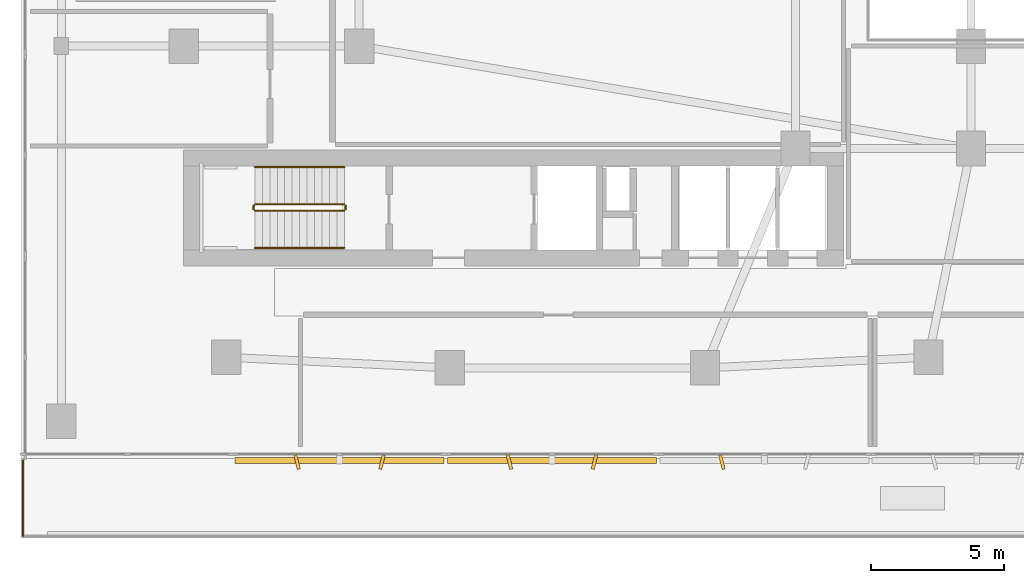
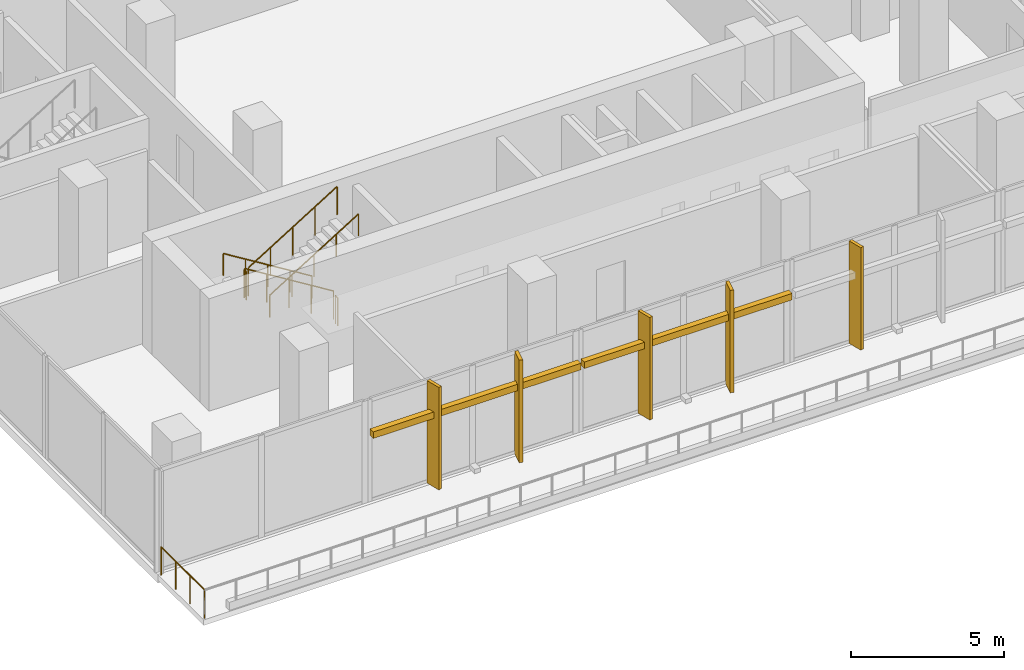
# One storey, part 19 of 31: 7 railings, 7 shading devices.
"""IFC4 building model written with IfcOpenShell, lengths in metres."""

from ifc_helpers import new_model, si_unit, derived_unit, direction, frame, origin, origin_2d, place, context, subcontext, project, spatial, rectangle, circle, extrude, material, type_object, element, save


model = new_model("IFC4")

# Units and contexts
model_context = context("Model", 3, precision=1e-05, world=origin(), true_north=direction((0.0, 1.0)))
body_context = subcontext(model_context, "Body", "Model", "MODEL_VIEW")
ifc_project = project(units=[si_unit("LENGTHUNIT", "METRE"), si_unit("AREAUNIT", "SQUARE_METRE"), si_unit("VOLUMEUNIT", "CUBIC_METRE"), si_unit("PLANEANGLEUNIT", "RADIAN"), si_unit("MASSUNIT", "GRAM", prefix="KILO"), derived_unit("THERMALTRANSMITTANCEUNIT", [(si_unit("POWERUNIT", "WATT"), 1), (si_unit("LENGTHUNIT", "METRE"), -2), (si_unit("THERMODYNAMICTEMPERATUREUNIT", "KELVIN"), -1)])], contexts=[model_context])

# Site, building, storey
site_placement = place(None, origin())
site = spatial("IfcSite", under=ifc_project, at=site_placement, CompositionType="ELEMENT")
building_placement = place(site_placement, origin())
building = spatial("IfcBuilding", under=site, at=building_placement, Name="Kivonza Crest Hotel", CompositionType="ELEMENT")
storey_placement = place(building_placement, frame((0.0, 0.0, 15.0)))
storey = spatial("IfcBuildingStorey", under=building, at=storey_placement, Name="L03", CompositionType="ELEMENT", Elevation=15.0)

# Railings
ifc_material_1 = material(Name="Brushed stainless steel handrail", Category="steel")
railing_type_1 = type_object("IfcRailingType", Name="RL-HAND-900", PredefinedType="HANDRAIL", material=ifc_material_1)
railing_1_placement = place(storey_placement, frame((12.239990234375, 16.949951171875, 0.173095703125)))
element("IfcRailing", 1, at=railing_1_placement, inside=storey, type_object=railing_type_1, Name="L03 ST-T1-S stair handrail 1", PredefinedType="HANDRAIL", context=body_context, shape_type="SweptSolid", body=[
    extrude(circle(Radius=0.02392578125, at=origin_2d()), frame((0.0, 0.0, 0.8759765625), z_axis=(-0.850623216509, 0.0, 0.525775754039), x_axis=(0.0, -1.0, 0.0)), (0.0, 0.0, 1.0), 3.9501953125),
    extrude(circle(Radius=0.02099609375, at=origin_2d()), origin(), (0.0, 0.0, 1.0), 0.851806640625),
    extrude(circle(Radius=0.02099609375, at=origin_2d()), frame((-0.840087890625, 0.0, 0.519287109375)), (0.0, 0.0, 1.0), 0.851806640625),
    extrude(circle(Radius=0.02099609375, at=origin_2d()), frame((-1.68017578125, 0.0, 1.03857421875)), (0.0, 0.0, 1.0), 0.851806640625),
    extrude(circle(Radius=0.02099609375, at=origin_2d()), frame((-2.52001953125, 0.0, 1.5576171875)), (0.0, 0.0, 1.0), 0.851806640625),
    extrude(circle(Radius=0.02099609375, at=origin_2d()), frame((-3.360107421875, 0.0, 2.076904296875)), (0.0, 0.0, 1.0), 0.851806640625),
])
railing_2_placement = place(storey_placement, frame((8.8798828125, 13.909912109375, 2.423095703125)))
element("IfcRailing", 2, at=railing_2_placement, inside=storey, type_object=railing_type_1, Name="L03 ST-T1-S stair handrail 2", PredefinedType="HANDRAIL", context=body_context, shape_type="SweptSolid", body=[
    extrude(circle(Radius=0.02392578125, at=origin_2d()), frame((0.0, 0.0, 0.8759765625), z_axis=(0.850623216509, 0.0, 0.525775754039), x_axis=(0.0, 1.0, 0.0)), (0.0, 0.0, 1.0), 3.9501953125),
    extrude(circle(Radius=0.02099609375, at=origin_2d()), origin(), (0.0, 0.0, 1.0), 0.851806640625),
    extrude(circle(Radius=0.02099609375, at=origin_2d()), frame((0.840087890625, 0.0, 0.519287109375)), (0.0, 0.0, 1.0), 0.851806640625),
    extrude(circle(Radius=0.02099609375, at=origin_2d()), frame((1.68017578125, 0.0, 1.03857421875)), (0.0, 0.0, 1.0), 0.851806640625),
    extrude(circle(Radius=0.02099609375, at=origin_2d()), frame((2.52001953125, 0.0, 1.5576171875)), (0.0, 0.0, 1.0), 0.851806640625),
    extrude(circle(Radius=0.02099609375, at=origin_2d()), frame((3.360107421875, 0.0, 2.076904296875)), (0.0, 0.0, 1.0), 0.851806640625),
])
ifc_material_2 = material(Name="Painted steel balustrade", Category="steel")
railing_type_2 = type_object("IfcRailingType", Name="RL-STAIR-1150", PredefinedType="BALUSTRADE", material=ifc_material_2)
railing_3_placement = place(storey_placement, frame((12.239990234375, 15.550048828125, 0.173095703125)))
element("IfcRailing", 3, at=railing_3_placement, inside=storey, type_object=railing_type_2, Name="L03 ST-T1-S stair guard 1", PredefinedType="BALUSTRADE", context=body_context, shape_type="SweptSolid", body=[
    extrude(circle(Radius=0.02392578125, at=origin_2d()), frame((0.0, 0.0, 1.1259765625), z_axis=(-0.850623216509, 0.0, 0.525775754039), x_axis=(0.0, -1.0, 0.0)), (0.0, 0.0, 1.0), 3.9501953125),
    extrude(circle(Radius=0.02099609375, at=origin_2d()), origin(), (0.0, 0.0, 1.0), 1.101806640625),
    extrude(circle(Radius=0.02099609375, at=origin_2d()), frame((-0.840087890625, 0.0, 0.519287109375)), (0.0, 0.0, 1.0), 1.101806640625),
    extrude(circle(Radius=0.02099609375, at=origin_2d()), frame((-1.68017578125, 0.0, 1.03857421875)), (0.0, 0.0, 1.0), 1.101806640625),
    extrude(circle(Radius=0.02099609375, at=origin_2d()), frame((-2.52001953125, 0.0, 1.5576171875)), (0.0, 0.0, 1.0), 1.101806640625),
    extrude(circle(Radius=0.02099609375, at=origin_2d()), frame((-3.360107421875, 0.0, 2.076904296875)), (0.0, 0.0, 1.0), 1.101806640625),
])
railing_4_placement = place(storey_placement, frame((8.830078125, 15.5, 2.25)))
element("IfcRailing", 4, at=railing_4_placement, inside=storey, type_object=railing_type_2, Name="L03 ST-T1-S stair guard 2", PredefinedType="BALUSTRADE", context=body_context, shape_type="SweptSolid", body=[
    extrude(circle(Radius=0.02392578125, at=origin_2d()), frame((0.0, 0.0, 1.1259765625), z_axis=(0.0, -1.0, 0.0), x_axis=(1.0, 0.0, 0.0)), (0.0, 0.0, 1.0), 0.139892578125),
    extrude(circle(Radius=0.02099609375, at=origin_2d()), origin(), (0.0, 0.0, 1.0), 1.101806640625),
    extrude(circle(Radius=0.02099609375, at=origin_2d()), frame((0.0, -0.139892578125, 0.0)), (0.0, 0.0, 1.0), 1.101806640625),
])
railing_5_placement = place(storey_placement, frame((8.8798828125, 15.31005859375, 2.423095703125)))
element("IfcRailing", 5, at=railing_5_placement, inside=storey, type_object=railing_type_2, Name="L03 ST-T1-S stair guard 3", PredefinedType="BALUSTRADE", context=body_context, shape_type="SweptSolid", body=[
    extrude(circle(Radius=0.02392578125, at=origin_2d()), frame((0.0, 0.0, 1.1259765625), z_axis=(0.850623216509, 0.0, 0.525775754039), x_axis=(0.0, 1.0, 0.0)), (0.0, 0.0, 1.0), 3.9501953125),
    extrude(circle(Radius=0.02099609375, at=origin_2d()), origin(), (0.0, 0.0, 1.0), 1.101806640625),
    extrude(circle(Radius=0.02099609375, at=origin_2d()), frame((0.840087890625, 0.0, 0.519287109375)), (0.0, 0.0, 1.0), 1.101806640625),
    extrude(circle(Radius=0.02099609375, at=origin_2d()), frame((1.68017578125, 0.0, 1.03857421875)), (0.0, 0.0, 1.0), 1.101806640625),
    extrude(circle(Radius=0.02099609375, at=origin_2d()), frame((2.52001953125, 0.0, 1.5576171875)), (0.0, 0.0, 1.0), 1.101806640625),
    extrude(circle(Radius=0.02099609375, at=origin_2d()), frame((3.360107421875, 0.0, 2.076904296875)), (0.0, 0.0, 1.0), 1.101806640625),
])
railing_6_placement = place(storey_placement, frame((12.2900390625, 15.5, 0.0)))
element("IfcRailing", 6, at=railing_6_placement, inside=storey, type_object=railing_type_2, Name="L03 ST-T1-S stair guard 4", PredefinedType="BALUSTRADE", context=body_context, shape_type="SweptSolid", body=[
    extrude(circle(Radius=0.02392578125, at=origin_2d()), frame((0.0, 0.0, 1.1259765625), z_axis=(0.0, -1.0, 0.0), x_axis=(1.0, 0.0, 0.0)), (0.0, 0.0, 1.0), 0.139892578125),
    extrude(circle(Radius=0.02099609375, at=origin_2d()), origin(), (0.0, 0.0, 1.0), 1.101806640625),
    extrude(circle(Radius=0.02099609375, at=origin_2d()), frame((0.0, -0.139892578125, 0.0)), (0.0, 0.0, 1.0), 1.101806640625),
])
ifc_material_3 = material(Name="Laminated glass and stainless steel balustrade", Category="steel")
railing_type_3 = type_object("IfcRailingType", Name="RL-TERR-1150", PredefinedType="BALUSTRADE", material=ifc_material_3)
railing_7_placement = place(storey_placement, frame((0.159912109375, 3.080078125, 0.0)))
element("IfcRailing", 7, at=railing_7_placement, inside=storey, type_object=railing_type_3, Name="L03 POD-L03-T1 perimeter safety balustrade 1", PredefinedType="BALUSTRADE", context=body_context, shape_type="SweptSolid", body=[
    extrude(circle(Radius=0.02392578125, at=origin_2d()), frame((0.0, 0.0, 1.1259765625), z_axis=(0.0, 1.0, 0.0), x_axis=(-1.0, 0.0, 0.0)), (0.0, 0.0, 1.0), 2.83984375),
    extrude(circle(Radius=0.02099609375, at=origin_2d()), origin(), (0.0, 0.0, 1.0), 1.101806640625),
    extrude(circle(Radius=0.02099609375, at=origin_2d()), frame((0.0, 0.946533203125, 0.0)), (0.0, 0.0, 1.0), 1.101806640625),
    extrude(circle(Radius=0.02099609375, at=origin_2d()), frame((0.0, 1.893310546875, 0.0)), (0.0, 0.0, 1.0), 1.101806640625),
    extrude(circle(Radius=0.02099609375, at=origin_2d()), frame((0.0, 2.83984375, 0.0)), (0.0, 0.0, 1.0), 1.101806640625),
])

# Shading devices
ifc_material_4 = material(Name="Kiln-fired Nairobi red-ochre terracotta", Category="masonry")
shading_device_type_1 = type_object("IfcShadingDeviceType", Name="SH-BAGUETTE-300", PredefinedType="USERDEFINED", material=ifc_material_4)
shading_device_1_placement = place(storey_placement, frame((12.06005859375, 5.919921875, 2.740234375), z_axis=(0.0, 0.0, 1.0), x_axis=(1.0, 0.0, 0.0)))
element("IfcShadingDevice", 8, at=shading_device_1_placement, inside=storey, type_object=shading_device_type_1, Name="L03 terracotta baguette screen CW-POD-L03-02", ObjectType="BAGUETTE", PredefinedType="USERDEFINED", context=body_context, shape_type="SweptSolid", body=[
    extrude(rectangle(XDim=7.865966796875, YDim=0.219970703125, at=origin_2d()), origin(), (0.0, 0.0, 1.0), 0.260009765625),
])
shading_device_2_placement = place(storey_placement, frame((20.047119140625, 5.919921875, 2.740234375), z_axis=(0.0, 0.0, 1.0), x_axis=(1.0, 0.0, 0.0)))
element("IfcShadingDevice", 9, at=shading_device_2_placement, inside=storey, type_object=shading_device_type_1, Name="L03 terracotta baguette screen CW-POD-L03-03", ObjectType="BAGUETTE", PredefinedType="USERDEFINED", context=body_context, shape_type="SweptSolid", body=[
    extrude(rectangle(XDim=7.866943359375, YDim=0.219970703125, at=origin_2d()), origin(), (0.0, 0.0, 1.0), 0.260009765625),
])
ifc_material_5 = material(Name="Kiln-fired terracotta over extruded aluminium spine", Category="masonry")
shading_device_type_2 = type_object("IfcShadingDeviceType", Name="SH-FIN-550", PredefinedType="USERDEFINED", material=ifc_material_5)
for number, where, z_axis, x_axis, name in (
    (10, (10.462890625, 5.860107421875, 0.0), (0.0, 0.0, 1.0), (0.970295726276, 0.2419218956, 0.0), "L03 vertical solar shading fin CW-POD-L03-02-1"),
    (11, (13.656982421875, 5.860107421875, 0.0), (0.0, 0.0, 1.0), (0.970295726276, -0.2419218956, 0.0), "L03 vertical solar shading fin CW-POD-L03-02-2"),
    (12, (18.448974609375, 5.860107421875, 0.0), (0.0, 0.0, 1.0), (0.970295726276, 0.2419218956, 0.0), "L03 vertical solar shading fin CW-POD-L03-03-1"),
    (13, (21.64404296875, 5.860107421875, 0.0), (0.0, 0.0, 1.0), (0.970295726276, -0.2419218956, 0.0), "L03 vertical solar shading fin CW-POD-L03-03-2"),
    (14, (26.43603515625, 5.860107421875, 0.0), (0.0, 0.0, 1.0), (0.970295726276, 0.2419218956, 0.0), "L03 vertical solar shading fin CW-POD-L03-04-1"),
):
    element("IfcShadingDevice", number, at=place(storey_placement, frame(where, z_axis=z_axis, x_axis=x_axis)), inside=storey, type_object=shading_device_type_2, Name=name, ObjectType="FIN", PredefinedType="USERDEFINED", context=body_context, shape_type="SweptSolid", body=[
        extrude(rectangle(XDim=0.1201171875, YDim=0.550048828125, at=origin_2d()), origin(), (0.0, 0.0, 1.0), 4.10009765625),
    ])

save(model, "model.ifc")
